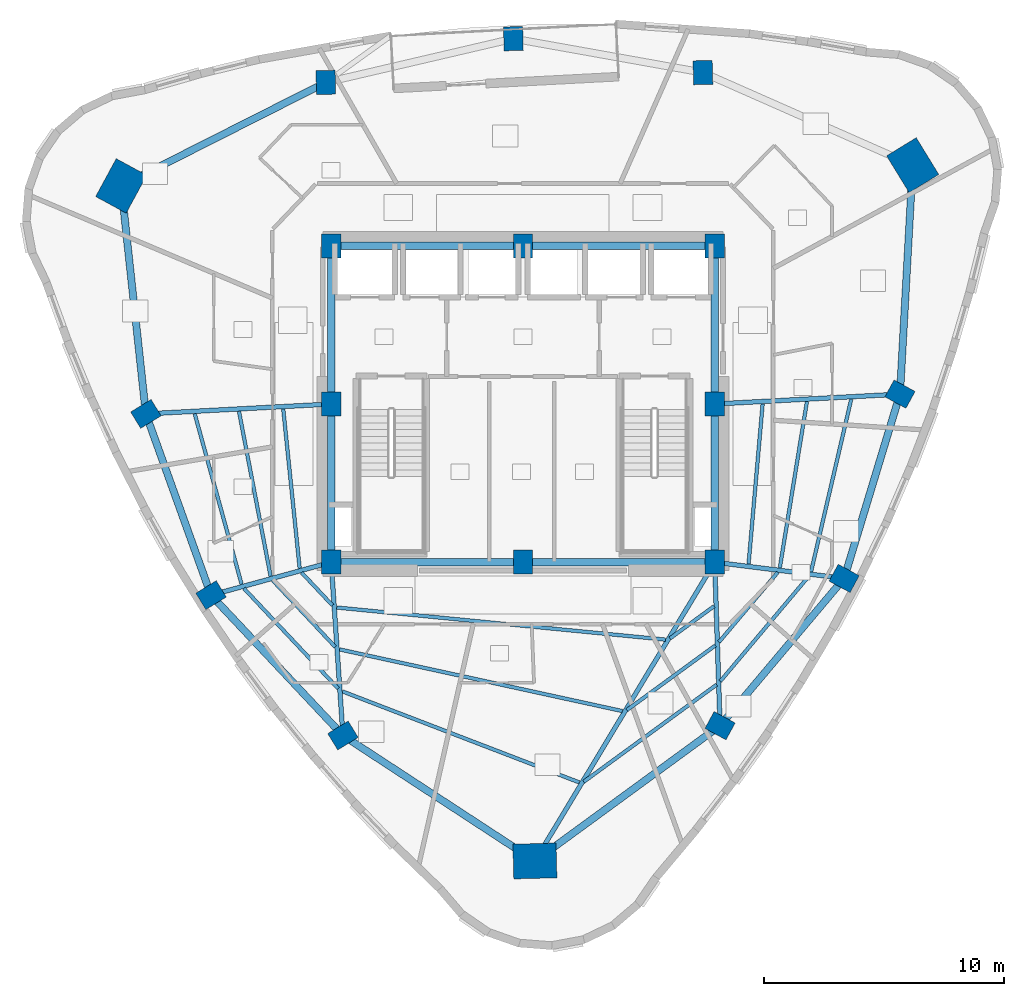
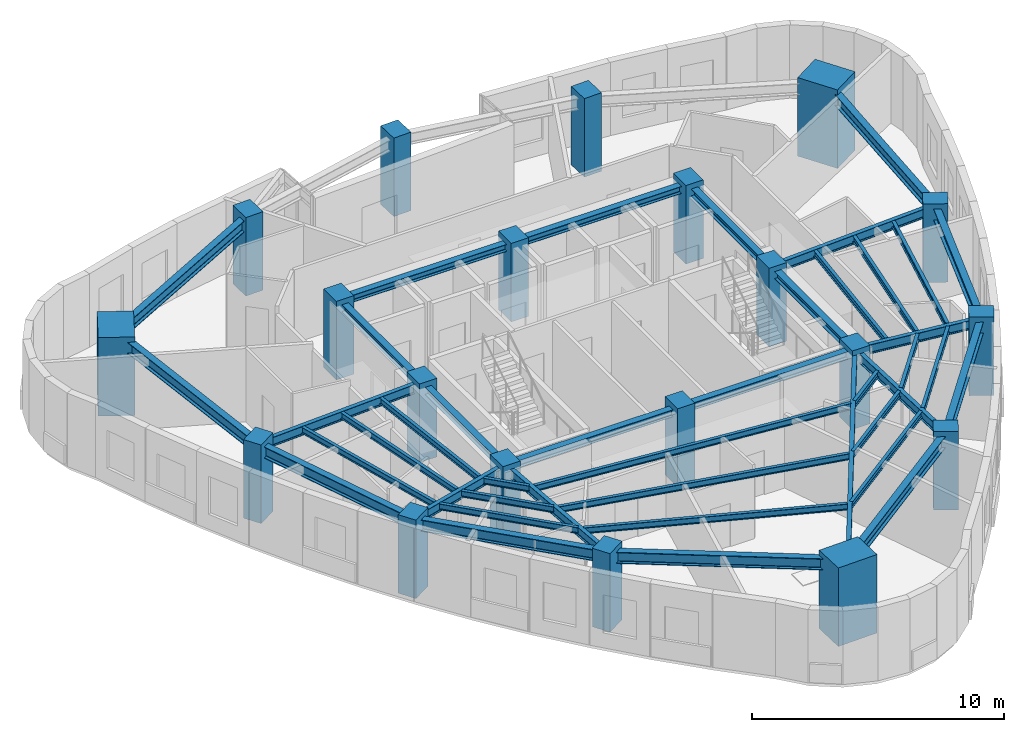
# One storey, part 1 of 11: 41 beams, 20 columns.
"""IFC4 building model written with IfcOpenShell, lengths in metres."""

from ifc_helpers import new_model, si_unit, direction, frame, origin, origin_2d, place, context, subcontext, project, spatial, rectangle, i_section, extrude, material, material_profile, profile_set, type_object, element, save


model = new_model("IFC4")

# Units and contexts
model_context = context("Model", 3, precision=1e-05, world=origin(), true_north=direction((0.0, 1.0)))
body_context = subcontext(model_context, "Body", "Model", "MODEL_VIEW")
ifc_project = project(units=[si_unit("LENGTHUNIT", "METRE"), si_unit("AREAUNIT", "SQUARE_METRE"), si_unit("VOLUMEUNIT", "CUBIC_METRE"), si_unit("PLANEANGLEUNIT", "RADIAN"), si_unit("MASSUNIT", "GRAM", prefix="KILO")], contexts=[model_context])

# Site, building, storey
site_placement = place(None, origin())
site = spatial("IfcSite", under=ifc_project, at=site_placement, CompositionType="ELEMENT")
building_placement = place(site_placement, origin())
building = spatial("IfcBuilding", under=site, at=building_placement, Name="Ndelora Gate Hotel", CompositionType="ELEMENT")
storey_placement = place(building_placement, frame((0.0, 0.0, 216.949951171875)))
storey = spatial("IfcBuildingStorey", under=building, at=storey_placement, Name="L54", CompositionType="ELEMENT", Elevation=216.949951171875)

# Columns
ifc_material_1 = material(Name="Concrete C50/60", Category="concrete")
ifc_material_profile_1 = material_profile(ifc_material_1, rectangle(XDim=0.800048828125, YDim=1.0, at=origin_2d()), Name="RC 1000x800")
ifc_profile_set_1 = profile_set([ifc_material_profile_1], Name="Concrete C50/60")
column_type_1 = type_object("IfcColumnType", Name="COL-CC-HI", PredefinedType="COLUMN", material=ifc_profile_set_1)
for number, where, z_axis, x_axis, name in (
    (1, (-8.0, -6.60009765625, 0.0), (0.0, 0.0, 1.0), (1.0, 0.0, 0.0), "L54 Core Column CC1"),
    (2, (0.0, -6.60009765625, 0.0), (0.0, 0.0, 1.0), (1.0, 0.0, 0.0), "L54 Core Column CC2"),
    (3, (8.0, -6.60009765625, 0.0), (0.0, 0.0, 1.0), (1.0, 0.0, 0.0), "L54 Core Column CC3"),
    (4, (8.0, 0.0, 0.0), (0.0, 0.0, 1.0), (1.0, 0.0, 0.0), "L54 Core Column CC4"),
    (5, (8.0, 6.60009765625, 0.0), (0.0, 0.0, 1.0), (1.0, 0.0, 0.0), "L54 Core Column CC5"),
    (6, (0.0, 6.60009765625, 0.0), (0.0, 0.0, 1.0), (1.0, 0.0, 0.0), "L54 Core Column CC6"),
    (7, (-8.0, 6.60009765625, 0.0), (0.0, 0.0, 1.0), (1.0, 0.0, 0.0), "L54 Core Column CC7"),
    (8, (-8.0, 0.0, 0.0), (0.0, 0.0, 1.0), (1.0, 0.0, 0.0), "L54 Core Column CC8"),
):
    element("IfcColumn", number, at=place(storey_placement, frame(where, z_axis=z_axis, x_axis=x_axis)), inside=storey, type_object=column_type_1, Name=name, PredefinedType="COLUMN", context=body_context, shape_type="SweptSolid", body=[
        extrude(rectangle(XDim=0.800048828125, YDim=1.0, at=origin_2d()), origin(), (0.0, 0.0, 1.0), 3.800048828125),
    ])
ifc_material_profile_2 = material_profile(ifc_material_1, rectangle(XDim=1.449951171875, YDim=1.800048828125, at=origin_2d()), Name="RC 1800x1450")
ifc_profile_set_2 = profile_set([ifc_material_profile_2], Name="Concrete C50/60")
column_type_2 = type_object("IfcColumnType", Name="COL-MC-Z3", PredefinedType="COLUMN", material=ifc_profile_set_2)
for number, where, z_axis, x_axis, name in (
    (9, (-16.759521484375, 9.099609375, 0.0), (0.0, 0.0, 1.0), (-0.878817112662, 0.47715876026, 0.0), "L54 Corner Mega-Column R1"),
    (10, (0.499267578125, -19.064208984375, 0.0), (0.0, 0.0, 1.0), (-0.026176948308, 0.999657324976, 0.0), "L54 Corner Mega-Column R5"),
    (11, (16.26025390625, 9.96435546875, 0.0), (0.0, 0.0, 1.0), (0.852640164354, 0.522498564716, 0.0), "L54 Corner Mega-Column R9"),
):
    element("IfcColumn", number, at=place(storey_placement, frame(where, z_axis=z_axis, x_axis=x_axis)), inside=storey, type_object=column_type_2, Name=name, PredefinedType="COLUMN", context=body_context, shape_type="SweptSolid", body=[
        extrude(rectangle(XDim=1.449951171875, YDim=1.800048828125, at=origin_2d()), origin(), (0.0, 0.0, 1.0), 3.800048828125),
    ])
ifc_material_profile_3 = material_profile(ifc_material_1, rectangle(XDim=0.800048828125, YDim=1.0, at=origin_2d()), Name="RC 1000x800")
ifc_profile_set_3 = profile_set([ifc_material_profile_3], Name="Concrete C50/60")
column_type_3 = type_object("IfcColumnType", Name="COL-PT-Z3", PredefinedType="COLUMN", material=ifc_profile_set_3)
for number, where, z_axis, x_axis, name in (
    (12, (-15.72998046875, -0.411865234375, 0.0), (0.0, 0.0, 1.0), (-0.522498564716, 0.852640164354, 0.0), "L54 Perimeter Tube Column R2"),
    (13, (-13.011962890625, -7.973876953125, 0.0), (0.0, 0.0, 1.0), (-0.522498564716, 0.852640164354, 0.0), "L54 Perimeter Tube Column R3"),
    (14, (-7.50830078125, -13.828369140625, 0.0), (0.0, 0.0, 1.0), (-0.522498564716, 0.852640164354, 0.0), "L54 Perimeter Tube Column R4"),
    (15, (8.223876953125, -13.419921875, 0.0), (0.0, 0.0, 1.0), (0.47715876026, 0.878817112662, 0.0), "L54 Perimeter Tube Column R6"),
    (16, (13.400390625, -7.275634765625, 0.0), (0.0, 0.0, 1.0), (0.47715876026, 0.878817112662, 0.0), "L54 Perimeter Tube Column R7"),
    (17, (15.72998046875, 0.411865234375, 0.0), (0.0, 0.0, 1.0), (0.47715876026, 0.878817112662, 0.0), "L54 Perimeter Tube Column R8"),
    (18, (7.50830078125, 13.828369140625, 0.0), (0.0, 0.0, 1.0), (0.999657324976, 0.026176948308, 0.0), "L54 Perimeter Tube Column R10"),
    (19, (-0.399169921875, 15.242919921875, 0.0), (0.0, 0.0, 1.0), (0.999657324976, 0.026176948308, 0.0), "L54 Perimeter Tube Column R11"),
    (20, (-8.2216796875, 13.41650390625, 0.0), (0.0, 0.0, 1.0), (0.999657324976, 0.026176948308, 0.0), "L54 Perimeter Tube Column R12"),
):
    element("IfcColumn", number, at=place(storey_placement, frame(where, z_axis=z_axis, x_axis=x_axis)), inside=storey, type_object=column_type_3, Name=name, PredefinedType="COLUMN", context=body_context, shape_type="SweptSolid", body=[
        extrude(rectangle(XDim=0.800048828125, YDim=1.0, at=origin_2d()), origin(), (0.0, 0.0, 1.0), 3.800048828125),
    ])

# Beams
ifc_material_2 = material(Name="Steel S355", Category="steel")
ifc_material_profile_4 = material_profile(ifc_material_2, i_section(OverallWidth=0.300048828125, OverallDepth=0.35009765625, WebThickness=0.010009765625, FlangeThickness=0.017578125, FilletRadius=0.027099609375, at=origin_2d()), Name="HEA 360")
ifc_profile_set_4 = profile_set([ifc_material_profile_4], Name="Steel S355")
beam_type_1 = type_object("IfcBeamType", Name="BM-CORE-350", PredefinedType="BEAM", material=ifc_profile_set_4)
for number, where, z_axis, x_axis, name in (
    (21, (-8.0, 6.60009765625, 3.375), (1.0, 0.0, 0.0), (0.0, 1.0, 0.0), "L54 Core Tie Girder CC7-CC6"),
    (22, (0.0, 6.60009765625, 3.375), (1.0, 0.0, 0.0), (0.0, 1.0, 0.0), "L54 Core Tie Girder CC6-CC5"),
):
    element("IfcBeam", number, at=place(storey_placement, frame(where, z_axis=z_axis, x_axis=x_axis)), inside=storey, type_object=beam_type_1, Name=name, PredefinedType="BEAM", context=body_context, shape_type="SweptSolid", body=[
        extrude(i_section(OverallWidth=0.300048828125, OverallDepth=0.35009765625, WebThickness=0.010009765625, FlangeThickness=0.017578125, FilletRadius=0.027099609375, at=origin_2d()), origin(), (0.0, 0.0, 1.0), 8.0),
    ])
for number, where, z_axis, x_axis, name in (
    (23, (-8.0, -6.60009765625, 3.375), (0.0, 1.0, 0.0), (-1.0, 0.0, 0.0), "L54 Core Tie Girder CC1-CC8"),
    (24, (-8.0, 0.0, 3.375), (0.0, 1.0, 0.0), (-1.0, 0.0, 0.0), "L54 Core Tie Girder CC8-CC7"),
    (25, (8.0, -6.60009765625, 3.375), (0.0, 1.0, 0.0), (-1.0, 0.0, 0.0), "L54 Core Tie Girder CC3-CC4"),
    (26, (8.0, 0.0, 3.375), (0.0, 1.0, 0.0), (-1.0, 0.0, 0.0), "L54 Core Tie Girder CC4-CC5"),
):
    element("IfcBeam", number, at=place(storey_placement, frame(where, z_axis=z_axis, x_axis=x_axis)), inside=storey, type_object=beam_type_1, Name=name, PredefinedType="BEAM", context=body_context, shape_type="SweptSolid", body=[
        extrude(i_section(OverallWidth=0.300048828125, OverallDepth=0.35009765625, WebThickness=0.010009765625, FlangeThickness=0.017578125, FilletRadius=0.027099609375, at=origin_2d()), origin(), (0.0, 0.0, 1.0), 6.60009765625),
    ])
for number, where, z_axis, x_axis, name in (
    (27, (-8.0, -6.60009765625, 3.375), (1.0, 0.0, 0.0), (0.0, 1.0, 0.0), "L54 Core Tie Girder CC1-CC2"),
    (28, (0.0, -6.60009765625, 3.375), (1.0, 0.0, 0.0), (0.0, 1.0, 0.0), "L54 Core Tie Girder CC2-CC3"),
):
    element("IfcBeam", number, at=place(storey_placement, frame(where, z_axis=z_axis, x_axis=x_axis)), inside=storey, type_object=beam_type_1, Name=name, PredefinedType="BEAM", context=body_context, shape_type="SweptSolid", body=[
        extrude(i_section(OverallWidth=0.300048828125, OverallDepth=0.35009765625, WebThickness=0.010009765625, FlangeThickness=0.017578125, FilletRadius=0.027099609375, at=origin_2d()), origin(), (0.0, 0.0, 1.0), 8.0),
    ])
ifc_material_profile_5 = material_profile(ifc_material_2, i_section(OverallWidth=0.14990234375, OverallDepth=0.300048828125, WebThickness=0.007080078125, FlangeThickness=0.0107421875, FilletRadius=0.014892578125, at=origin_2d()), Name="IPE 300")
ifc_profile_set_5 = profile_set([ifc_material_profile_5], Name="Steel S355")
beam_type_2 = type_object("IfcBeamType", Name="BM-JST-300", PredefinedType="JOIST", material=ifc_profile_set_5)
beam_1_placement = place(storey_placement, frame((-9.9990234375, -0.21142578125, 3.400146484375), z_axis=(0.10260596827, -0.994722079415, 0.0), x_axis=(0.994722079415, 0.10260596827, 0.0)))
element("IfcBeam", 29, at=beam_1_placement, inside=storey, type_object=beam_type_2, Name="L54 Secondary Composite Floor Joist IN-2", PredefinedType="JOIST", context=body_context, shape_type="SweptSolid", body=[
    extrude(i_section(OverallWidth=0.14990234375, OverallDepth=0.300048828125, WebThickness=0.007080078125, FlangeThickness=0.0107421875, FilletRadius=0.014892578125, at=origin_2d()), origin(), (0.0, 0.0, 1.0), 6.676513671875),
])
beam_2_placement = place(storey_placement, frame((-11.84521484375, -0.30908203125, 3.400146484375), z_axis=(0.188470955684, -0.982078764083, 0.0), x_axis=(0.982078764083, 0.188470955684, 0.0)))
element("IfcBeam", 30, at=beam_2_placement, inside=storey, type_object=beam_type_2, Name="L54 Secondary Composite Floor Joist MID-2", PredefinedType="JOIST", context=body_context, shape_type="SweptSolid", body=[
    extrude(i_section(OverallWidth=0.14990234375, OverallDepth=0.300048828125, WebThickness=0.007080078125, FlangeThickness=0.0107421875, FilletRadius=0.014892578125, at=origin_2d()), origin(), (0.0, 0.0, 1.0), 7.000244140625),
])
beam_3_placement = place(storey_placement, frame((-13.6923828125, -0.406005859375, 3.400146484375), z_axis=(0.2652180483, -0.964188460238, 0.0), x_axis=(0.964188460238, 0.2652180483, 0.0)))
element("IfcBeam", 31, at=beam_3_placement, inside=storey, type_object=beam_type_2, Name="L54 Secondary Composite Floor Joist OUT-2", PredefinedType="JOIST", context=body_context, shape_type="SweptSolid", body=[
    extrude(i_section(OverallWidth=0.14990234375, OverallDepth=0.300048828125, WebThickness=0.007080078125, FlangeThickness=0.0107421875, FilletRadius=0.014892578125, at=origin_2d()), origin(), (0.0, 0.0, 1.0), 7.37353515625),
])
beam_4_placement = place(storey_placement, frame((-9.231201171875, -7.03369140625, 3.400146484375), z_axis=(0.684943115963, -0.728596546722, 0.0), x_axis=(0.728596546722, 0.684943115963, 0.0)))
element("IfcBeam", 32, at=beam_4_placement, inside=storey, type_object=beam_type_2, Name="L54 Secondary Composite Floor Joist IN-3", PredefinedType="JOIST", context=body_context, shape_type="SweptSolid", body=[
    extrude(i_section(OverallWidth=0.14990234375, OverallDepth=0.300048828125, WebThickness=0.007080078125, FlangeThickness=0.0107421875, FilletRadius=0.014892578125, at=origin_2d()), origin(), (0.0, 0.0, 1.0), 1.879150390625),
])
beam_5_placement = place(storey_placement, frame((-10.43408203125, -7.36328125, 3.400146484375), z_axis=(0.684938600536, -0.728600791584, 0.0), x_axis=(0.728600791584, 0.684938600536, 0.0)))
element("IfcBeam", 33, at=beam_5_placement, inside=storey, type_object=beam_type_2, Name="L54 Secondary Composite Floor Joist MID-3", PredefinedType="JOIST", context=body_context, shape_type="SweptSolid", body=[
    extrude(i_section(OverallWidth=0.14990234375, OverallDepth=0.300048828125, WebThickness=0.007080078125, FlangeThickness=0.0107421875, FilletRadius=0.014892578125, at=origin_2d()), origin(), (0.0, 0.0, 1.0), 3.807861328125),
])
beam_6_placement = place(storey_placement, frame((-11.636962890625, -7.693115234375, 3.400146484375), z_axis=(0.68493576734, -0.728603454986, 0.0), x_axis=(0.728603454986, 0.68493576734, 0.0)))
element("IfcBeam", 34, at=beam_6_placement, inside=storey, type_object=beam_type_2, Name="L54 Secondary Composite Floor Joist OUT-3", PredefinedType="JOIST", context=body_context, shape_type="SweptSolid", body=[
    extrude(i_section(OverallWidth=0.14990234375, OverallDepth=0.300048828125, WebThickness=0.007080078125, FlangeThickness=0.0107421875, FilletRadius=0.014892578125, at=origin_2d()), origin(), (0.0, 0.0, 1.0), 5.736328125),
])
beam_7_placement = place(storey_placement, frame((-7.767578125, -8.489501953125, 3.400146484375), z_axis=(0.995253727902, -0.097314012848, 0.0), x_axis=(0.097314012848, 0.995253727902, 0.0)))
element("IfcBeam", 35, at=beam_7_placement, inside=storey, type_object=beam_type_2, Name="L54 Secondary Composite Floor Joist IN-4", PredefinedType="JOIST", context=body_context, shape_type="SweptSolid", body=[
    extrude(i_section(OverallWidth=0.14990234375, OverallDepth=0.300048828125, WebThickness=0.007080078125, FlangeThickness=0.0107421875, FilletRadius=0.014892578125, at=origin_2d()), origin(), (0.0, 0.0, 1.0), 13.7783203125),
])
beam_8_placement = place(storey_placement, frame((-7.651611328125, -10.236572265625, 3.400146484375), z_axis=(0.977032906758, -0.213088477191, 0.0), x_axis=(0.213088477191, 0.977032906758, 0.0)))
element("IfcBeam", 36, at=beam_8_placement, inside=storey, type_object=beam_type_2, Name="L54 Secondary Composite Floor Joist MID-4", PredefinedType="JOIST", context=body_context, shape_type="SweptSolid", body=[
    extrude(i_section(OverallWidth=0.14990234375, OverallDepth=0.300048828125, WebThickness=0.007080078125, FlangeThickness=0.0107421875, FilletRadius=0.014892578125, at=origin_2d()), origin(), (0.0, 0.0, 1.0), 12.075927734375),
])
beam_9_placement = place(storey_placement, frame((-7.5380859375, -11.98681640625, 3.400146484375), z_axis=(0.933489266504, -0.358605339227, 0.0), x_axis=(0.358605339227, 0.933489266504, 0.0)))
element("IfcBeam", 37, at=beam_9_placement, inside=storey, type_object=beam_type_2, Name="L54 Secondary Composite Floor Joist OUT-4", PredefinedType="JOIST", context=body_context, shape_type="SweptSolid", body=[
    extrude(i_section(OverallWidth=0.14990234375, OverallDepth=0.300048828125, WebThickness=0.007080078125, FlangeThickness=0.0107421875, FilletRadius=0.014892578125, at=origin_2d()), origin(), (0.0, 0.0, 1.0), 10.593994140625),
])
beam_10_placement = place(storey_placement, frame((6.134521484375, -9.77880859375, 3.400146484375), z_axis=(0.80739897839, 0.590005838696, 0.0), x_axis=(-0.590005838696, 0.80739897839, 0.0)))
element("IfcBeam", 38, at=beam_10_placement, inside=storey, type_object=beam_type_2, Name="L54 Secondary Composite Floor Joist IN-5", PredefinedType="JOIST", context=body_context, shape_type="SweptSolid", body=[
    extrude(i_section(OverallWidth=0.14990234375, OverallDepth=0.300048828125, WebThickness=0.007080078125, FlangeThickness=0.0107421875, FilletRadius=0.014892578125, at=origin_2d()), origin(), (0.0, 0.0, 1.0), 2.277587890625),
])
beam_11_placement = place(storey_placement, frame((4.33447265625, -12.77001953125, 3.400146484375), z_axis=(0.807439047151, 0.589951002318, 0.0), x_axis=(-0.589951002318, 0.807439047151, 0.0)))
element("IfcBeam", 39, at=beam_11_placement, inside=storey, type_object=beam_type_2, Name="L54 Secondary Composite Floor Joist MID-5", PredefinedType="JOIST", context=body_context, shape_type="SweptSolid", body=[
    extrude(i_section(OverallWidth=0.14990234375, OverallDepth=0.300048828125, WebThickness=0.007080078125, FlangeThickness=0.0107421875, FilletRadius=0.014892578125, at=origin_2d()), origin(), (0.0, 0.0, 1.0), 4.5732421875),
])
beam_12_placement = place(storey_placement, frame((2.5341796875, -15.761474609375, 3.400146484375), z_axis=(0.807430841486, 0.589962232874, 0.0), x_axis=(-0.589962232874, 0.807430841486, 0.0)))
element("IfcBeam", 40, at=beam_12_placement, inside=storey, type_object=beam_type_2, Name="L54 Secondary Composite Floor Joist OUT-5", PredefinedType="JOIST", context=body_context, shape_type="SweptSolid", body=[
    extrude(i_section(OverallWidth=0.14990234375, OverallDepth=0.300048828125, WebThickness=0.007080078125, FlangeThickness=0.0107421875, FilletRadius=0.014892578125, at=origin_2d()), origin(), (0.0, 0.0, 1.0), 6.869384765625),
])
beam_13_placement = place(storey_placement, frame((8.1796875, -9.9296875, 3.400146484375), z_axis=(0.644319387893, 0.764756514444, 0.0), x_axis=(-0.764756514444, 0.644319387893, 0.0)))
element("IfcBeam", 41, at=beam_13_placement, inside=storey, type_object=beam_type_2, Name="L54 Secondary Composite Floor Joist MID-6", PredefinedType="JOIST", context=body_context, shape_type="SweptSolid", body=[
    extrude(i_section(OverallWidth=0.14990234375, OverallDepth=0.300048828125, WebThickness=0.007080078125, FlangeThickness=0.0107421875, FilletRadius=0.014892578125, at=origin_2d()), origin(), (0.0, 0.0, 1.0), 3.806884765625),
])
beam_14_placement = place(storey_placement, frame((8.2333984375, -11.56640625, 3.400146484375), z_axis=(0.644324492463, 0.764752213735, 0.0), x_axis=(-0.764752213735, 0.644324492463, 0.0)))
element("IfcBeam", 42, at=beam_14_placement, inside=storey, type_object=beam_type_2, Name="L54 Secondary Composite Floor Joist OUT-6", PredefinedType="JOIST", context=body_context, shape_type="SweptSolid", body=[
    extrude(i_section(OverallWidth=0.14990234375, OverallDepth=0.300048828125, WebThickness=0.007080078125, FlangeThickness=0.0107421875, FilletRadius=0.014892578125, at=origin_2d()), origin(), (0.0, 0.0, 1.0), 5.735107421875),
])
beam_15_placement = place(storey_placement, frame((9.413330078125, -6.671142578125, 3.400146484375), z_axis=(0.087643872384, 0.996151871771, 0.0), x_axis=(-0.996151871771, 0.087643872384, 0.0)))
element("IfcBeam", 43, at=beam_15_placement, inside=storey, type_object=beam_type_2, Name="L54 Secondary Composite Floor Joist IN-7", PredefinedType="JOIST", context=body_context, shape_type="SweptSolid", body=[
    extrude(i_section(OverallWidth=0.14990234375, OverallDepth=0.300048828125, WebThickness=0.007080078125, FlangeThickness=0.0107421875, FilletRadius=0.014892578125, at=origin_2d()), origin(), (0.0, 0.0, 1.0), 6.699462890625),
])
beam_16_placement = place(storey_placement, frame((10.717041015625, -6.834228515625, 3.400146484375), z_axis=(0.160939239626, 0.986964316046, 0.0), x_axis=(-0.986964316046, 0.160939239626, 0.0)))
element("IfcBeam", 44, at=beam_16_placement, inside=storey, type_object=beam_type_2, Name="L54 Secondary Composite Floor Joist MID-7", PredefinedType="JOIST", context=body_context, shape_type="SweptSolid", body=[
    extrude(i_section(OverallWidth=0.14990234375, OverallDepth=0.300048828125, WebThickness=0.007080078125, FlangeThickness=0.0107421875, FilletRadius=0.014892578125, at=origin_2d()), origin(), (0.0, 0.0, 1.0), 7.028076171875),
])
beam_17_placement = place(storey_placement, frame((12.02001953125, -6.997802734375, 3.400146484375), z_axis=(0.22674518397, 0.973954116756, 0.0), x_axis=(-0.973954116756, 0.22674518397, 0.0)))
element("IfcBeam", 45, at=beam_17_placement, inside=storey, type_object=beam_type_2, Name="L54 Secondary Composite Floor Joist OUT-7", PredefinedType="JOIST", context=body_context, shape_type="SweptSolid", body=[
    extrude(i_section(OverallWidth=0.14990234375, OverallDepth=0.300048828125, WebThickness=0.007080078125, FlangeThickness=0.0107421875, FilletRadius=0.014892578125, at=origin_2d()), origin(), (0.0, 0.0, 1.0), 7.392822265625),
])
ifc_material_profile_6 = material_profile(ifc_material_2, i_section(OverallWidth=0.18994140625, OverallDepth=0.449951171875, WebThickness=0.009521484375, FlangeThickness=0.0146484375, FilletRadius=0.02099609375, at=origin_2d()), Name="IPE 450")
ifc_profile_set_6 = profile_set([ifc_material_profile_6], Name="Steel S355")
beam_type_3 = type_object("IfcBeamType", Name="BM-RAD-450", PredefinedType="BEAM", material=ifc_profile_set_6)
beam_18_placement = place(storey_placement, frame((-8.0, 0.0, 3.324951171875), z_axis=(-0.998583554121, -0.053206065814, 0.0), x_axis=(0.053206065814, -0.998583554121, 0.0)))
element("IfcBeam", 46, at=beam_18_placement, inside=storey, type_object=beam_type_3, Name="L54 Radial Floor Girder 2", PredefinedType="BEAM", context=body_context, shape_type="SweptSolid", body=[
    extrude(i_section(OverallWidth=0.18994140625, OverallDepth=0.449951171875, WebThickness=0.009521484375, FlangeThickness=0.0146484375, FilletRadius=0.02099609375, at=origin_2d()), origin(), (0.0, 0.0, 1.0), 7.740966796875),
])
beam_19_placement = place(storey_placement, frame((-8.0, -6.60009765625, 3.324951171875), z_axis=(-0.96442695542, -0.264349480157, 0.0), x_axis=(0.264349480157, -0.96442695542, 0.0)))
element("IfcBeam", 47, at=beam_19_placement, inside=storey, type_object=beam_type_3, Name="L54 Radial Floor Girder 3", PredefinedType="BEAM", context=body_context, shape_type="SweptSolid", body=[
    extrude(i_section(OverallWidth=0.18994140625, OverallDepth=0.449951171875, WebThickness=0.009521484375, FlangeThickness=0.0146484375, FilletRadius=0.02099609375, at=origin_2d()), origin(), (0.0, 0.0, 1.0), 5.19677734375),
])
beam_20_placement = place(storey_placement, frame((-8.0, -6.60009765625, 3.324951171875), z_axis=(0.067867612113, -0.997694335569, 0.0), x_axis=(0.997694335569, 0.067867612113, 0.0)))
element("IfcBeam", 48, at=beam_20_placement, inside=storey, type_object=beam_type_3, Name="L54 Radial Floor Girder 4", PredefinedType="BEAM", context=body_context, shape_type="SweptSolid", body=[
    extrude(i_section(OverallWidth=0.18994140625, OverallDepth=0.449951171875, WebThickness=0.009521484375, FlangeThickness=0.0146484375, FilletRadius=0.02099609375, at=origin_2d()), origin(), (0.0, 0.0, 1.0), 7.244873046875),
])
beam_21_placement = place(storey_placement, frame((8.0, -6.60009765625, 3.324951171875), z_axis=(-0.515620753203, -0.856816922607, 0.0), x_axis=(0.856816922607, -0.515620753203, 0.0)))
element("IfcBeam", 49, at=beam_21_placement, inside=storey, type_object=beam_type_3, Name="L54 Radial Floor Girder 5", PredefinedType="BEAM", context=body_context, shape_type="SweptSolid", body=[
    extrude(i_section(OverallWidth=0.18994140625, OverallDepth=0.449951171875, WebThickness=0.009521484375, FlangeThickness=0.0146484375, FilletRadius=0.02099609375, at=origin_2d()), origin(), (0.0, 0.0, 1.0), 14.546875),
])
beam_22_placement = place(storey_placement, frame((8.0, -6.60009765625, 3.324951171875), z_axis=(0.032809705109, -0.999461616697, 0.0), x_axis=(0.999461616697, 0.032809705109, 0.0)))
element("IfcBeam", 50, at=beam_22_placement, inside=storey, type_object=beam_type_3, Name="L54 Radial Floor Girder 6", PredefinedType="BEAM", context=body_context, shape_type="SweptSolid", body=[
    extrude(i_section(OverallWidth=0.18994140625, OverallDepth=0.449951171875, WebThickness=0.009521484375, FlangeThickness=0.0146484375, FilletRadius=0.02099609375, at=origin_2d()), origin(), (0.0, 0.0, 1.0), 6.823486328125),
])
beam_23_placement = place(storey_placement, frame((8.0, -6.60009765625, 3.324951171875), z_axis=(0.992266830725, -0.124123070552, 0.0), x_axis=(0.124123070552, 0.992266830725, 0.0)))
element("IfcBeam", 51, at=beam_23_placement, inside=storey, type_object=beam_type_3, Name="L54 Radial Floor Girder 7", PredefinedType="BEAM", context=body_context, shape_type="SweptSolid", body=[
    extrude(i_section(OverallWidth=0.18994140625, OverallDepth=0.449951171875, WebThickness=0.009521484375, FlangeThickness=0.0146484375, FilletRadius=0.02099609375, at=origin_2d()), origin(), (0.0, 0.0, 1.0), 5.4423828125),
])
beam_24_placement = place(storey_placement, frame((8.0, 0.0, 3.324951171875), z_axis=(0.998583554121, 0.053206065814, 0.0), x_axis=(-0.053206065814, 0.998583554121, 0.0)))
element("IfcBeam", 52, at=beam_24_placement, inside=storey, type_object=beam_type_3, Name="L54 Radial Floor Girder 8", PredefinedType="BEAM", context=body_context, shape_type="SweptSolid", body=[
    extrude(i_section(OverallWidth=0.18994140625, OverallDepth=0.449951171875, WebThickness=0.009521484375, FlangeThickness=0.0146484375, FilletRadius=0.02099609375, at=origin_2d()), origin(), (0.0, 0.0, 1.0), 7.740966796875),
])
ifc_material_profile_7 = material_profile(ifc_material_2, i_section(OverallWidth=0.300048828125, OverallDepth=0.550048828125, WebThickness=0.014892578125, FlangeThickness=0.029052734375, FilletRadius=0.027099609375, at=origin_2d()), Name="HEB 550")
ifc_profile_set_7 = profile_set([ifc_material_profile_7], Name="Steel S355")
beam_type_4 = type_object("IfcBeamType", Name="BM-RING-550", PredefinedType="SPANDREL", material=ifc_profile_set_7)
beam_25_placement = place(storey_placement, frame((-16.759521484375, 9.099609375, 3.275146484375), z_axis=(0.107613416645, -0.994192814578, 0.0), x_axis=(0.994192814578, 0.107613416645, 0.0)))
element("IfcBeam", 53, at=beam_25_placement, inside=storey, type_object=beam_type_4, Name="L54 Perimeter Spandrel Girder 1", PredefinedType="SPANDREL", context=body_context, shape_type="SweptSolid", body=[
    extrude(i_section(OverallWidth=0.300048828125, OverallDepth=0.550048828125, WebThickness=0.014892578125, FlangeThickness=0.029052734375, FilletRadius=0.027099609375, at=origin_2d()), origin(), (0.0, 0.0, 1.0), 9.567138671875),
])
beam_26_placement = place(storey_placement, frame((-15.72998046875, -0.411865234375, 3.275146484375), z_axis=(0.338244972382, -0.941058095262, 0.0), x_axis=(0.941058095262, 0.338244972382, 0.0)))
element("IfcBeam", 54, at=beam_26_placement, inside=storey, type_object=beam_type_4, Name="L54 Perimeter Spandrel Girder 2", PredefinedType="SPANDREL", context=body_context, shape_type="SweptSolid", body=[
    extrude(i_section(OverallWidth=0.300048828125, OverallDepth=0.550048828125, WebThickness=0.014892578125, FlangeThickness=0.029052734375, FilletRadius=0.027099609375, at=origin_2d()), origin(), (0.0, 0.0, 1.0), 8.03564453125),
])
beam_27_placement = place(storey_placement, frame((-13.011962890625, -7.973876953125, 3.275146484375), z_axis=(0.684939043371, -0.728600375285, 0.0), x_axis=(0.728600375285, 0.684939043371, 0.0)))
element("IfcBeam", 55, at=beam_27_placement, inside=storey, type_object=beam_type_4, Name="L54 Perimeter Spandrel Girder 3", PredefinedType="SPANDREL", context=body_context, shape_type="SweptSolid", body=[
    extrude(i_section(OverallWidth=0.300048828125, OverallDepth=0.550048828125, WebThickness=0.014892578125, FlangeThickness=0.029052734375, FilletRadius=0.027099609375, at=origin_2d()), origin(), (0.0, 0.0, 1.0), 8.03515625),
])
beam_28_placement = place(storey_placement, frame((-7.50830078125, -13.828369140625, 3.275146484375), z_axis=(0.836963769915, -0.547258300851, 0.0), x_axis=(0.547258300851, 0.836963769915, 0.0)))
element("IfcBeam", 56, at=beam_28_placement, inside=storey, type_object=beam_type_4, Name="L54 Perimeter Spandrel Girder 4", PredefinedType="SPANDREL", context=body_context, shape_type="SweptSolid", body=[
    extrude(i_section(OverallWidth=0.300048828125, OverallDepth=0.550048828125, WebThickness=0.014892578125, FlangeThickness=0.029052734375, FilletRadius=0.027099609375, at=origin_2d()), origin(), (0.0, 0.0, 1.0), 9.5673828125),
])
beam_29_placement = place(storey_placement, frame((0.499267578125, -19.064208984375, 3.275146484375), z_axis=(0.807421980226, 0.58997436033, 0.0), x_axis=(-0.58997436033, 0.807421980226, 0.0)))
element("IfcBeam", 57, at=beam_29_placement, inside=storey, type_object=beam_type_4, Name="L54 Perimeter Spandrel Girder 5", PredefinedType="SPANDREL", context=body_context, shape_type="SweptSolid", body=[
    extrude(i_section(OverallWidth=0.300048828125, OverallDepth=0.550048828125, WebThickness=0.014892578125, FlangeThickness=0.029052734375, FilletRadius=0.027099609375, at=origin_2d()), origin(), (0.0, 0.0, 1.0), 9.56689453125),
])
beam_30_placement = place(storey_placement, frame((8.223876953125, -13.419921875, 3.275146484375), z_axis=(0.644308845181, 0.764765396721, 0.0), x_axis=(-0.764765396721, 0.644308845181, 0.0)))
element("IfcBeam", 58, at=beam_30_placement, inside=storey, type_object=beam_type_4, Name="L54 Perimeter Spandrel Girder 6", PredefinedType="SPANDREL", context=body_context, shape_type="SweptSolid", body=[
    extrude(i_section(OverallWidth=0.300048828125, OverallDepth=0.550048828125, WebThickness=0.014892578125, FlangeThickness=0.029052734375, FilletRadius=0.027099609375, at=origin_2d()), origin(), (0.0, 0.0, 1.0), 8.0341796875),
])
beam_31_placement = place(storey_placement, frame((13.400390625, -7.275634765625, 3.275146484375), z_axis=(0.290012456561, 0.957022870698, 0.0), x_axis=(-0.957022870698, 0.290012456561, 0.0)))
element("IfcBeam", 59, at=beam_31_placement, inside=storey, type_object=beam_type_4, Name="L54 Perimeter Spandrel Girder 7", PredefinedType="SPANDREL", context=body_context, shape_type="SweptSolid", body=[
    extrude(i_section(OverallWidth=0.300048828125, OverallDepth=0.550048828125, WebThickness=0.014892578125, FlangeThickness=0.029052734375, FilletRadius=0.027099609375, at=origin_2d()), origin(), (0.0, 0.0, 1.0), 8.03271484375),
])
for number, where, z_axis, x_axis, name in (
    (60, (15.72998046875, 0.411865234375, 3.275146484375), (0.055426206248, 0.998462786318, 0.0), (-0.998462786318, 0.055426206248, 0.0), "L54 Perimeter Spandrel Girder 8"),
    (61, (-8.2216796875, 13.41650390625, 3.275146484375), (-0.89241242978, -0.451220628045, 0.0), (0.451220628045, -0.89241242978, 0.0), "L54 Perimeter Spandrel Girder 12"),
):
    element("IfcBeam", number, at=place(storey_placement, frame(where, z_axis=z_axis, x_axis=x_axis)), inside=storey, type_object=beam_type_4, Name=name, PredefinedType="SPANDREL", context=body_context, shape_type="SweptSolid", body=[
        extrude(i_section(OverallWidth=0.300048828125, OverallDepth=0.550048828125, WebThickness=0.014892578125, FlangeThickness=0.029052734375, FilletRadius=0.027099609375, at=origin_2d()), origin(), (0.0, 0.0, 1.0), 9.567138671875),
    ])

save(model, "model.ifc")
